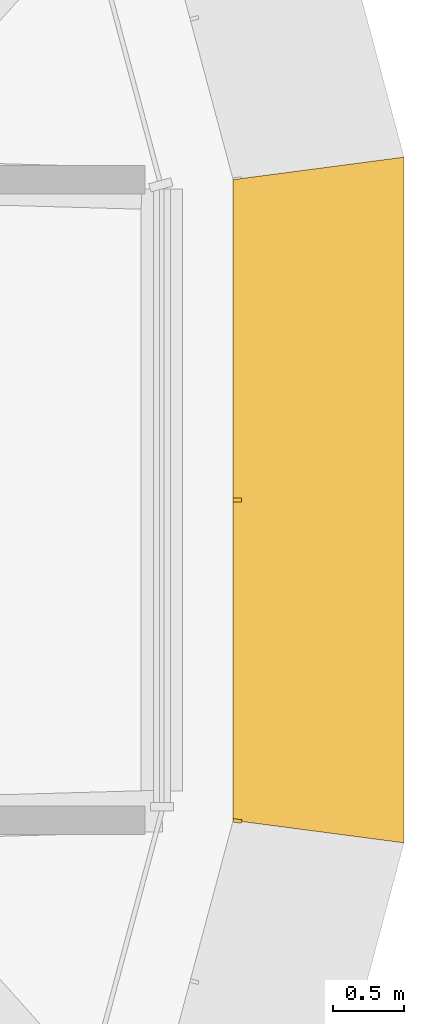
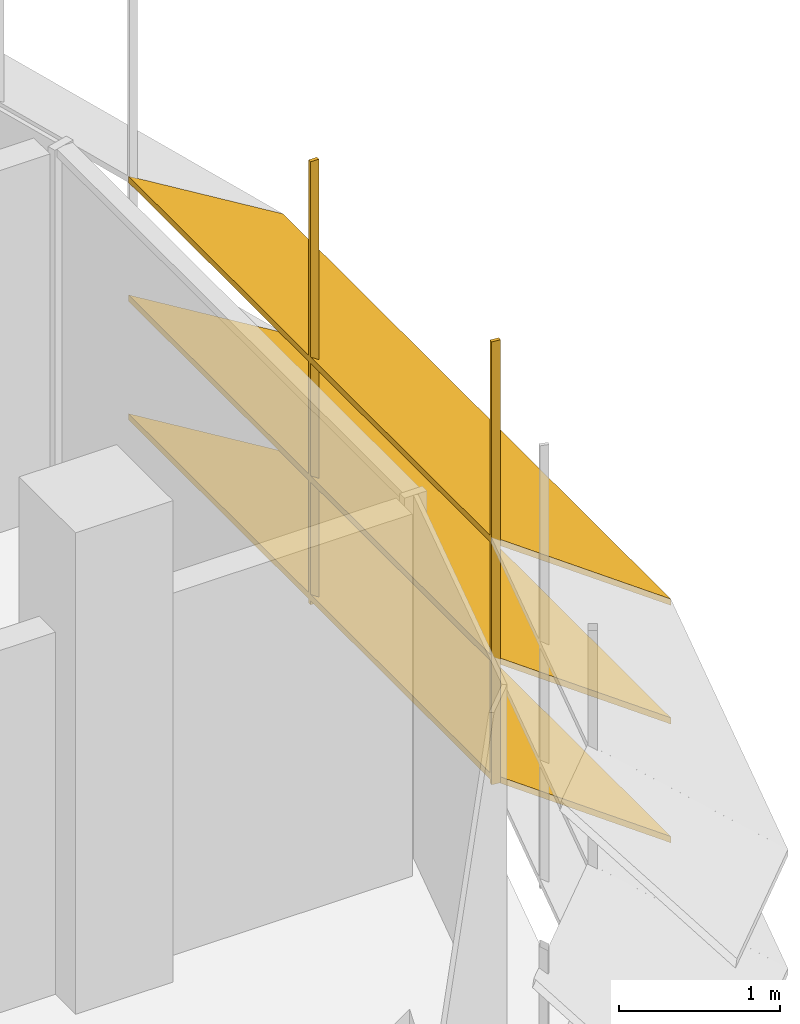
# One storey, part 19 of 19: 1 shading device.
"""IFC4 building model written with IfcOpenShell, lengths in metres."""

import ifcopenshell
import ifcopenshell.guid

model = None  # the IFC model being written
_history = None  # IfcOwnerHistory: only IFC2X3 demands one
_inside = {}  # id of a spatial element -> (the spatial element, [elements in it])
_under = {}  # id of a project, library or spatial element -> (it, [spatial elements below it])
_declared = {}  # id of a project -> (the project, [libraries it declares])
_typed = {}  # id of a type object -> (the type object, [elements of that type])
_made_of = {}  # id of a material, layer set ... -> (it, [elements and type objects made of it])


def new_model(schema):
    """Start an empty IFC model of exactly this schema.

    Asked for "IFC4X3", IfcOpenShell would pick the latest addendum, in which some entities
    have other attributes; the version numbers below select the first issue.
    IFC2X3 requires an IfcOwnerHistory on every rooted entity: one is made here for all.
    """
    global model, _history
    if schema == "IFC4X3":
        model = ifcopenshell.file(schema_version=(4, 3, 0, 0))
    else:
        model = ifcopenshell.file(schema=schema)
    _inside.clear()
    _under.clear()
    _declared.clear()
    _typed.clear()
    _made_of.clear()
    _history = None
    if model.schema == "IFC2X3":
        org = make("IfcOrganization", Name="unknown")
        user = make(
            "IfcPersonAndOrganization",
            ThePerson=make("IfcPerson", FamilyName="unknown"),
            TheOrganization=org,
        )
        app = make(
            "IfcApplication",
            ApplicationDeveloper=org,
            Version="unknown",
            ApplicationFullName="unknown",
            ApplicationIdentifier="unknown",
        )
        _history = make(
            "IfcOwnerHistory",
            OwningUser=user,
            OwningApplication=app,
            ChangeAction="ADDED",
            CreationDate=0,
        )
    return model


def make(cls, **values):
    """One entity of the class cls with the attributes given. An attribute that is None is left unset."""
    return model.create_entity(
        cls, **{name: value for name, value in values.items() if value is not None}
    )


def rooted(cls, **values):
    """An entity with a GlobalId (a new one), such as an element, a storey or a relation."""
    return make(cls, GlobalId=ifcopenshell.guid.new(), OwnerHistory=_history, **values)


def si_unit(unit_type, name, prefix=None):
    """IfcSIUnit, for example si_unit("LENGTHUNIT", "METRE", prefix="MILLI")."""
    return make("IfcSIUnit", UnitType=unit_type, Prefix=prefix, Name=name)


def assignment(units):
    """IfcUnitAssignment: the units of a project."""
    return None if units is None else make("IfcUnitAssignment", Units=units)


def point(xyz):
    """IfcCartesianPoint."""
    return None if xyz is None else make("IfcCartesianPoint", Coordinates=xyz)


def direction(xyz):
    """IfcDirection."""
    return None if xyz is None else make("IfcDirection", DirectionRatios=xyz)


def frame(location, z_axis=None, x_axis=None):
    """IfcAxis2Placement3D, a coordinate frame: its origin and axes. An axis left out is left unset."""
    return make(
        "IfcAxis2Placement3D",
        Location=point(location),
        Axis=direction(z_axis),
        RefDirection=direction(x_axis),
    )


def origin():
    """The frame at (0, 0, 0) with its axes left unset."""
    return frame((0.0, 0.0, 0.0))


def place(relative_to, where):
    """IfcLocalPlacement: puts the frame where relative to a parent placement (None: the world)."""
    return make(
        "IfcLocalPlacement", PlacementRelTo=relative_to, RelativePlacement=where
    )


def context(
    kind, dimensions, precision=None, world=None, true_north=None, identifier=None
):
    """IfcGeometricRepresentationContext, for example the 3D "Model" context."""
    return make(
        "IfcGeometricRepresentationContext",
        ContextIdentifier=identifier,
        ContextType=kind,
        CoordinateSpaceDimension=dimensions,
        Precision=precision,
        WorldCoordinateSystem=world,
        TrueNorth=true_north,
    )


def subcontext(parent, identifier, kind, view, scale=None):
    """IfcGeometricRepresentationSubContext, for example "Body" below "Model"."""
    return make(
        "IfcGeometricRepresentationSubContext",
        ContextIdentifier=identifier,
        ContextType=kind,
        ParentContext=parent,
        TargetScale=scale,
        TargetView=view,
    )


def project(units=None, contexts=None):
    """IfcProject with its units and contexts."""
    return rooted(
        "IfcProject",
        Name="project",
        RepresentationContexts=contexts,
        UnitsInContext=assignment(units),
    )


def spatial(cls, under=None, at=None, **own):
    """A site, building, storey or space (cls), placed at a placement, below another one or the project."""
    s = rooted(cls, ObjectPlacement=at, **own)
    if under is not None:
        _under.setdefault(under.id(), (under, []))[1].append(s)
    return s


def polyline(points):
    """IfcPolyline through the points."""
    return make("IfcPolyline", Points=[point(p) for p in points])


def outline(outer, holes=None, kind="AREA"):
    """IfcArbitraryClosedProfileDef: a profile drawn as a closed curve; with holes, ...WithVoids."""
    if holes is None:
        return make("IfcArbitraryClosedProfileDef", ProfileType=kind, OuterCurve=outer)
    return make(
        "IfcArbitraryProfileDefWithVoids",
        ProfileType=kind,
        OuterCurve=outer,
        InnerCurves=holes,
    )


def extrude(swept, where, along, depth):
    """IfcExtrudedAreaSolid: the profile swept, set in the frame where, extruded along a direction by depth."""
    return make(
        "IfcExtrudedAreaSolid",
        SweptArea=swept,
        Position=where,
        ExtrudedDirection=direction(along),
        Depth=depth,
    )


def faces_of(points, faces, orient=None, outer=None):
    """IfcFace entities. A face is a list of loops; a loop is a list of indices into points, from 0.

    orient and outer hold one flag for each loop. By default every Orientation is true, the
    first loop of a face is its IfcFaceOuterBound and the others are IfcFaceBound.
    """
    made = []
    for i, loops in enumerate(faces):
        bounds = []
        for j, loop in enumerate(loops):
            is_outer = j == 0 if outer is None else outer[i][j]
            bounds.append(
                make(
                    "IfcFaceOuterBound" if is_outer else "IfcFaceBound",
                    Bound=make("IfcPolyLoop", Polygon=[points[k] for k in loop]),
                    Orientation=True if orient is None else orient[i][j],
                )
            )
        made.append(make("IfcFace", Bounds=bounds))
    return made


def faceted_brep(points, faces, orient=None, outer=None, voids=None):
    """IfcFacetedBrep: a solid bounded by flat faces; with voids (closed shells), ...WithVoids."""
    shared = [point(p) for p in points]
    hull = make("IfcClosedShell", CfsFaces=faces_of(shared, faces, orient, outer))
    if voids is None:
        return make("IfcFacetedBrep", Outer=hull)
    return make(
        "IfcFacetedBrepWithVoids",
        Outer=hull,
        Voids=[
            make(cls, CfsFaces=faces_of(shared, fs, o, b)) for cls, fs, o, b in voids
        ],
    )


def shape(context_of_items, identifier, shape_type, items):
    """IfcShapeRepresentation: the items that make up one representation, for example the "Body"."""
    return make(
        "IfcShapeRepresentation",
        ContextOfItems=context_of_items,
        RepresentationIdentifier=identifier,
        RepresentationType=shape_type,
        Items=items,
    )


def source(mapping_origin, context_of_items, identifier, shape_type, items):
    """IfcRepresentationMap: a shape defined once, which mapped items show again and again."""
    return make(
        "IfcRepresentationMap",
        MappingOrigin=mapping_origin,
        MappedRepresentation=shape(context_of_items, identifier, shape_type, items),
    )


def transform(
    local_origin,
    x_axis=None,
    y_axis=None,
    z_axis=None,
    scale=None,
    scale2=None,
    scale3=None,
    uniform=True,
):
    """IfcCartesianTransformationOperator3D, or its non-uniform kind. x_axis, y_axis, z_axis: its Axis1, 2, 3."""
    if uniform:
        return make(
            "IfcCartesianTransformationOperator3D",
            Axis1=direction(x_axis),
            Axis2=direction(y_axis),
            LocalOrigin=point(local_origin),
            Scale=scale,
            Axis3=direction(z_axis),
        )
    return make(
        "IfcCartesianTransformationOperator3DnonUniform",
        Axis1=direction(x_axis),
        Axis2=direction(y_axis),
        LocalOrigin=point(local_origin),
        Scale=scale,
        Axis3=direction(z_axis),
        Scale2=scale2,
        Scale3=scale3,
    )


def mapped(mapping_source, mapping_target):
    """IfcMappedItem: shows the shape of a source again, moved by a transform."""
    return make(
        "IfcMappedItem", MappingSource=mapping_source, MappingTarget=mapping_target
    )


def material(Name=None, Category=None):
    """IfcMaterial."""
    return make("IfcMaterial", Name=Name, Category=Category)


def made_of(thing, what):
    """Note that an element or type object is made of a material, layer set ...; save() writes the relation."""
    if what is not None:
        _made_of.setdefault(what.id(), (what, []))[1].append(thing)
    return thing


def type_object(cls, material=None, **own):
    """A type object (cls), such as IfcWallType, which elements share."""
    return made_of(rooted(cls, **own), material)


def element(
    cls,
    number,
    at=None,
    inside=None,
    cuts=None,
    type_object=None,
    material=None,
    context=None,
    identifier="Body",
    shape_type=None,
    held_by="IfcProductDefinitionShape",
    body=None,
    shapes=None,
    **own,
):
    """One element of the class cls, such as IfcWall. Its Tag is "e" and its number.

    at: its placement. inside: the storey or other place that contains it. cuts: it is an
    opening in that element (IfcRelVoidsElement). A single representation is given by context,
    identifier, shape_type and body (its items); several are given by shapes. held_by: the class
    of the entity that holds the representations. save() writes the other relations.
    """
    e = rooted(cls, Tag="e%d" % number, ObjectPlacement=at, **own)
    if body is not None:
        shapes = [shape(context, identifier, shape_type, body)]
    if shapes is not None:
        e.Representation = make(held_by, Representations=shapes)
    if inside is not None:
        _inside.setdefault(inside.id(), (inside, []))[1].append(e)
    if cuts is not None:
        rooted(
            "IfcRelVoidsElement", RelatingBuildingElement=cuts, RelatedOpeningElement=e
        )
    if type_object is not None:
        _typed.setdefault(type_object.id(), (type_object, []))[1].append(e)
    return made_of(e, material)


def aggregate(whole, parts):
    """IfcRelAggregates: a whole, such as a stair, and the parts it consists of."""
    return rooted("IfcRelAggregates", RelatingObject=whole, RelatedObjects=parts)


def save(model, path):
    """Write the relations noted so far, then the file.

    IfcRelAggregates (storeys below a building ...), IfcRelContainedInSpatialStructure (elements
    in a storey), IfcRelDefinesByType, IfcRelAssociatesMaterial and IfcRelDeclares: one each for
    every whole, place, type object, material and project.
    """
    for whole, parts in _under.values():
        aggregate(whole, parts)
    for where, things in _inside.values():
        rooted(
            "IfcRelContainedInSpatialStructure",
            RelatedElements=things,
            RelatingStructure=where,
        )
    for kind, things in _typed.values():
        rooted("IfcRelDefinesByType", RelatedObjects=things, RelatingType=kind)
    for what, things in _made_of.values():
        rooted("IfcRelAssociatesMaterial", RelatedObjects=things, RelatingMaterial=what)
    for by, libraries in _declared.values():
        rooted("IfcRelDeclares", RelatingContext=by, RelatedDefinitions=libraries)
    model.write(path)


model = new_model("IFC4")

# Units and contexts
model_context = context("Model", 3, precision=1e-05, world=origin(), true_north=direction((0.0, 1.0)))
body_context = subcontext(model_context, "Body", "Model", "MODEL_VIEW")
ifc_project = project(units=[si_unit("LENGTHUNIT", "METRE"), si_unit("AREAUNIT", "SQUARE_METRE"), si_unit("VOLUMEUNIT", "CUBIC_METRE"), si_unit("PLANEANGLEUNIT", "RADIAN"), si_unit("MASSUNIT", "GRAM", prefix="KILO")], contexts=[model_context])

# Site, building, storey
site_placement = place(None, origin())
site = spatial("IfcSite", under=ifc_project, at=site_placement, CompositionType="ELEMENT")
building_placement = place(site_placement, origin())
building = spatial("IfcBuilding", under=site, at=building_placement, Name="Zarbagh Exchange Tower", CompositionType="ELEMENT")
storey_placement = place(building_placement, frame((0.0, 0.0, 241.0)))
storey = spatial("IfcBuildingStorey", under=building, at=storey_placement, Name="L59", CompositionType="ELEMENT", Elevation=241.0)

# Shading device
ifc_material = material(Name="Anodised aluminium blades and brackets", Category="aluminium")
shading_device_type = type_object("IfcShadingDeviceType", Name="SUNSHADE louvre band, 33.75 degree blades", PredefinedType="JALOUSIE", material=ifc_material)
shared_shape_1 = source(origin(), body_context, "Body", "Brep", [
    faceted_brep([(0.0, 0.0, 0.0), (0.0, 0.0, -0.048095703125), (-0.157958984375, -1.199951171875, -0.849853515625), (-0.157958984375, -1.199951171875, -0.8017578125), (4.657958984375, -1.199951171875, -0.8017578125), (4.657958984375, -1.199951171875, -0.849853515625), (4.5, 0.0, -0.048095703125), (4.5, 0.0, 0.0)], [[[0, 1, 2, 3]], [[4, 5, 6, 7]], [[0, 7, 6, 1]], [[1, 6, 5, 2]], [[2, 5, 4, 3]], [[3, 4, 7, 0]]]),
])
shared_shape_2 = source(origin(), body_context, "Body", "SweptSolid", [
    extrude(outline(polyline([(0.0, -0.012451171875), (0.06005859375, -0.012451171875), (0.06005859375, 0.012451171875), (0.0, 0.012451171875), (0.0, -0.012451171875)])), origin(), (0.0, 0.0, 1.0), 3.358154296875),
])
shading_device_placement = place(storey_placement, origin())
element("IfcShadingDevice", 1, at=shading_device_placement, inside=storey, type_object=shading_device_type, Name="SS32 sunshade band", PredefinedType="JALOUSIE", context=body_context, shape_type="MappedRepresentation", body=[
    mapped(shared_shape_1, transform((31.5, -2.25, 2.300048828125), x_axis=(0.0, 1.0, 0.0), y_axis=(-1.0, 0.0, 0.0), z_axis=(0.0, 0.0, 1.0))),
    mapped(shared_shape_1, transform((31.5, -2.25, 1.39990234375), x_axis=(0.0, 1.0, 0.0), y_axis=(-1.0, 0.0, 0.0), z_axis=(0.0, 0.0, 1.0))),
    mapped(shared_shape_1, transform((31.5, -2.25, 0.5), x_axis=(0.0, 1.0, 0.0), y_axis=(-1.0, 0.0, 0.0), z_axis=(0.0, 0.0, 1.0))),
    mapped(shared_shape_2, transform((31.5, -2.25, 0.421875), x_axis=(0.991444457092, -0.130529263012, 0.0), y_axis=(0.130529263012, 0.991444457092, 0.0), z_axis=(0.0, 0.0, 1.0))),
    mapped(shared_shape_2, transform((31.5, 0.0, 0.421875), x_axis=(1.0, 0.0, 0.0), y_axis=(0.0, 1.0, 0.0), z_axis=(0.0, 0.0, 1.0))),
])

save(model, "model.ifc")
